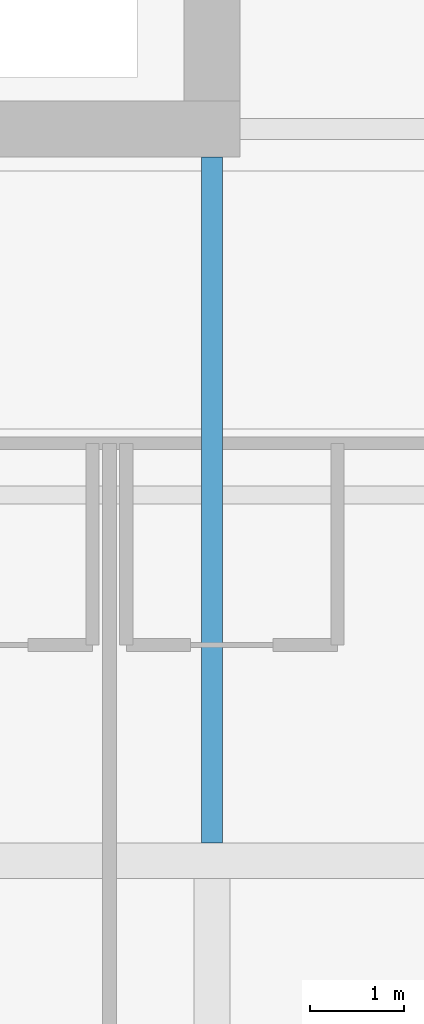
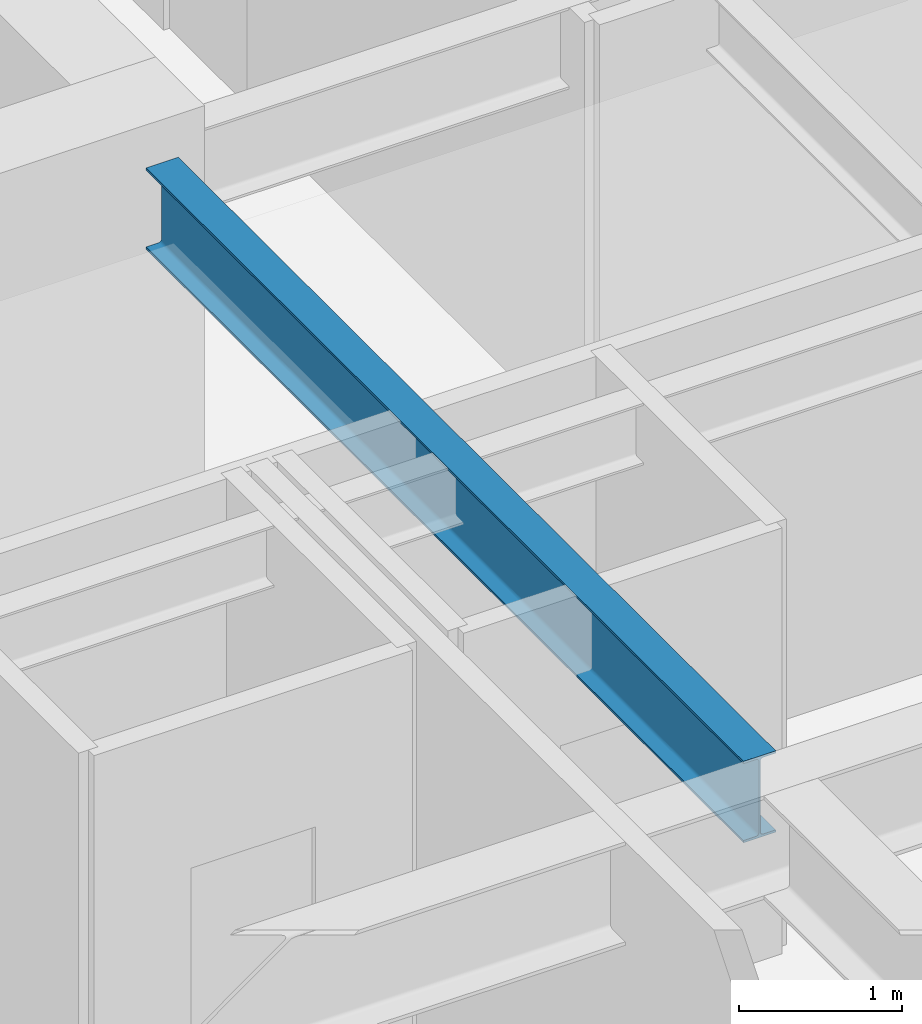
# One storey, part 12 of 37: 1 beam.
"""IFC4 building model written with IfcOpenShell, lengths in metres."""

import ifcopenshell
import ifcopenshell.guid

model = None  # the IFC model being written
_history = None  # IfcOwnerHistory: only IFC2X3 demands one
_inside = {}  # id of a spatial element -> (the spatial element, [elements in it])
_under = {}  # id of a project, library or spatial element -> (it, [spatial elements below it])
_declared = {}  # id of a project -> (the project, [libraries it declares])
_typed = {}  # id of a type object -> (the type object, [elements of that type])
_made_of = {}  # id of a material, layer set ... -> (it, [elements and type objects made of it])


def new_model(schema):
    """Start an empty IFC model of exactly this schema.

    Asked for "IFC4X3", IfcOpenShell would pick the latest addendum, in which some entities
    have other attributes; the version numbers below select the first issue.
    IFC2X3 requires an IfcOwnerHistory on every rooted entity: one is made here for all.
    """
    global model, _history
    if schema == "IFC4X3":
        model = ifcopenshell.file(schema_version=(4, 3, 0, 0))
    else:
        model = ifcopenshell.file(schema=schema)
    _inside.clear()
    _under.clear()
    _declared.clear()
    _typed.clear()
    _made_of.clear()
    _history = None
    if model.schema == "IFC2X3":
        org = make("IfcOrganization", Name="unknown")
        user = make(
            "IfcPersonAndOrganization",
            ThePerson=make("IfcPerson", FamilyName="unknown"),
            TheOrganization=org,
        )
        app = make(
            "IfcApplication",
            ApplicationDeveloper=org,
            Version="unknown",
            ApplicationFullName="unknown",
            ApplicationIdentifier="unknown",
        )
        _history = make(
            "IfcOwnerHistory",
            OwningUser=user,
            OwningApplication=app,
            ChangeAction="ADDED",
            CreationDate=0,
        )
    return model


def make(cls, **values):
    """One entity of the class cls with the attributes given. An attribute that is None is left unset."""
    return model.create_entity(
        cls, **{name: value for name, value in values.items() if value is not None}
    )


def rooted(cls, **values):
    """An entity with a GlobalId (a new one), such as an element, a storey or a relation."""
    return make(cls, GlobalId=ifcopenshell.guid.new(), OwnerHistory=_history, **values)


def si_unit(unit_type, name, prefix=None):
    """IfcSIUnit, for example si_unit("LENGTHUNIT", "METRE", prefix="MILLI")."""
    return make("IfcSIUnit", UnitType=unit_type, Prefix=prefix, Name=name)


def assignment(units):
    """IfcUnitAssignment: the units of a project."""
    return None if units is None else make("IfcUnitAssignment", Units=units)


def point(xyz):
    """IfcCartesianPoint."""
    return None if xyz is None else make("IfcCartesianPoint", Coordinates=xyz)


def direction(xyz):
    """IfcDirection."""
    return None if xyz is None else make("IfcDirection", DirectionRatios=xyz)


def frame(location, z_axis=None, x_axis=None):
    """IfcAxis2Placement3D, a coordinate frame: its origin and axes. An axis left out is left unset."""
    return make(
        "IfcAxis2Placement3D",
        Location=point(location),
        Axis=direction(z_axis),
        RefDirection=direction(x_axis),
    )


def frame_2d(location, x_axis=None):
    """IfcAxis2Placement2D, a coordinate frame in the plane: its origin and x axis."""
    return make(
        "IfcAxis2Placement2D", Location=point(location), RefDirection=direction(x_axis)
    )


def origin():
    """The frame at (0, 0, 0) with its axes left unset."""
    return frame((0.0, 0.0, 0.0))


def origin_2d():
    """The frame at (0, 0) in the plane with its x axis left unset."""
    return frame_2d((0.0, 0.0))


def place(relative_to, where):
    """IfcLocalPlacement: puts the frame where relative to a parent placement (None: the world)."""
    return make(
        "IfcLocalPlacement", PlacementRelTo=relative_to, RelativePlacement=where
    )


def context(
    kind, dimensions, precision=None, world=None, true_north=None, identifier=None
):
    """IfcGeometricRepresentationContext, for example the 3D "Model" context."""
    return make(
        "IfcGeometricRepresentationContext",
        ContextIdentifier=identifier,
        ContextType=kind,
        CoordinateSpaceDimension=dimensions,
        Precision=precision,
        WorldCoordinateSystem=world,
        TrueNorth=true_north,
    )


def subcontext(parent, identifier, kind, view, scale=None):
    """IfcGeometricRepresentationSubContext, for example "Body" below "Model"."""
    return make(
        "IfcGeometricRepresentationSubContext",
        ContextIdentifier=identifier,
        ContextType=kind,
        ParentContext=parent,
        TargetScale=scale,
        TargetView=view,
    )


def project(units=None, contexts=None):
    """IfcProject with its units and contexts."""
    return rooted(
        "IfcProject",
        Name="project",
        RepresentationContexts=contexts,
        UnitsInContext=assignment(units),
    )


def spatial(cls, under=None, at=None, **own):
    """A site, building, storey or space (cls), placed at a placement, below another one or the project."""
    s = rooted(cls, ObjectPlacement=at, **own)
    if under is not None:
        _under.setdefault(under.id(), (under, []))[1].append(s)
    return s


def profile(cls, at=None, kind="AREA", **sizes):
    """A parametric profile (cls). Its sizes go by their IFC names, for example OverallWidth=200.0."""
    return make(cls, ProfileType=kind, Position=at, **sizes)


def i_section(**sizes):
    """IfcIShapeProfileDef."""
    return profile("IfcIShapeProfileDef", **sizes)


def extrude(swept, where, along, depth):
    """IfcExtrudedAreaSolid: the profile swept, set in the frame where, extruded along a direction by depth."""
    return make(
        "IfcExtrudedAreaSolid",
        SweptArea=swept,
        Position=where,
        ExtrudedDirection=direction(along),
        Depth=depth,
    )


def shape(context_of_items, identifier, shape_type, items):
    """IfcShapeRepresentation: the items that make up one representation, for example the "Body"."""
    return make(
        "IfcShapeRepresentation",
        ContextOfItems=context_of_items,
        RepresentationIdentifier=identifier,
        RepresentationType=shape_type,
        Items=items,
    )


def material(Name=None, Category=None):
    """IfcMaterial."""
    return make("IfcMaterial", Name=Name, Category=Category)


def material_profile(
    of_material, cross_section, Name=None, Category=None, Priority=None
):
    """IfcMaterialProfile: a cross section and its material."""
    return make(
        "IfcMaterialProfile",
        Name=Name,
        Material=of_material,
        Profile=cross_section,
        Priority=Priority,
        Category=Category,
    )


def profile_set(profiles, Name=None, composite=None):
    """IfcMaterialProfileSet."""
    return make(
        "IfcMaterialProfileSet",
        Name=Name,
        MaterialProfiles=profiles,
        CompositeProfile=composite,
    )


def made_of(thing, what):
    """Note that an element or type object is made of a material, layer set ...; save() writes the relation."""
    if what is not None:
        _made_of.setdefault(what.id(), (what, []))[1].append(thing)
    return thing


def type_object(cls, material=None, **own):
    """A type object (cls), such as IfcWallType, which elements share."""
    return made_of(rooted(cls, **own), material)


def element(
    cls,
    number,
    at=None,
    inside=None,
    cuts=None,
    type_object=None,
    material=None,
    context=None,
    identifier="Body",
    shape_type=None,
    held_by="IfcProductDefinitionShape",
    body=None,
    shapes=None,
    **own,
):
    """One element of the class cls, such as IfcWall. Its Tag is "e" and its number.

    at: its placement. inside: the storey or other place that contains it. cuts: it is an
    opening in that element (IfcRelVoidsElement). A single representation is given by context,
    identifier, shape_type and body (its items); several are given by shapes. held_by: the class
    of the entity that holds the representations. save() writes the other relations.
    """
    e = rooted(cls, Tag="e%d" % number, ObjectPlacement=at, **own)
    if body is not None:
        shapes = [shape(context, identifier, shape_type, body)]
    if shapes is not None:
        e.Representation = make(held_by, Representations=shapes)
    if inside is not None:
        _inside.setdefault(inside.id(), (inside, []))[1].append(e)
    if cuts is not None:
        rooted(
            "IfcRelVoidsElement", RelatingBuildingElement=cuts, RelatedOpeningElement=e
        )
    if type_object is not None:
        _typed.setdefault(type_object.id(), (type_object, []))[1].append(e)
    return made_of(e, material)


def aggregate(whole, parts):
    """IfcRelAggregates: a whole, such as a stair, and the parts it consists of."""
    return rooted("IfcRelAggregates", RelatingObject=whole, RelatedObjects=parts)


def save(model, path):
    """Write the relations noted so far, then the file.

    IfcRelAggregates (storeys below a building ...), IfcRelContainedInSpatialStructure (elements
    in a storey), IfcRelDefinesByType, IfcRelAssociatesMaterial and IfcRelDeclares: one each for
    every whole, place, type object, material and project.
    """
    for whole, parts in _under.values():
        aggregate(whole, parts)
    for where, things in _inside.values():
        rooted(
            "IfcRelContainedInSpatialStructure",
            RelatedElements=things,
            RelatingStructure=where,
        )
    for kind, things in _typed.values():
        rooted("IfcRelDefinesByType", RelatedObjects=things, RelatingType=kind)
    for what, things in _made_of.values():
        rooted("IfcRelAssociatesMaterial", RelatedObjects=things, RelatingMaterial=what)
    for by, libraries in _declared.values():
        rooted("IfcRelDeclares", RelatingContext=by, RelatedDefinitions=libraries)
    model.write(path)


model = new_model("IFC4")

# Units and contexts
model_context = context("Model", 3, precision=1e-05, world=origin(), true_north=direction((0.0, 1.0)))
body_context = subcontext(model_context, "Body", "Model", "MODEL_VIEW")
ifc_project = project(units=[si_unit("LENGTHUNIT", "METRE"), si_unit("AREAUNIT", "SQUARE_METRE"), si_unit("VOLUMEUNIT", "CUBIC_METRE"), si_unit("PLANEANGLEUNIT", "RADIAN"), si_unit("MASSUNIT", "GRAM", prefix="KILO")], contexts=[model_context])

# Site, building, storey
site_placement = place(None, origin())
site = spatial("IfcSite", under=ifc_project, at=site_placement, CompositionType="ELEMENT")
building_placement = place(site_placement, origin())
building = spatial("IfcBuilding", under=site, at=building_placement, Name="Drelvath Grand Hotel", CompositionType="ELEMENT")
storey_placement = place(building_placement, frame((0.0, 0.0, 78.699951171875)))
storey = spatial("IfcBuildingStorey", under=building, at=storey_placement, Name="L19", CompositionType="ELEMENT", Elevation=78.699951171875)

# Beam
ifc_material = material(Name="Steel ASTM A992 Gr 50", Category="steel")
ifc_material_profile = material_profile(ifc_material, i_section(OverallWidth=0.228271484375, OverallDepth=0.607666015625, WebThickness=0.01123046875, FlangeThickness=0.017333984375, FilletRadius=0.02001953125, at=origin_2d()), Name="W24X76")
ifc_profile_set = profile_set([ifc_material_profile], Name="Steel ASTM A992 Gr 50")
beam_type = type_object("IfcBeamType", Name="Primary Floor Girder W24X76", PredefinedType="BEAM", material=ifc_profile_set)
beam_placement = place(storey_placement, frame((8.39990234375, 10.990234375, 2.876220703125), z_axis=(0.0, 1.0, 0.0), x_axis=(-1.0, 0.0, 0.0)))
element("IfcBeam", 1, at=beam_placement, inside=storey, type_object=beam_type, Name="L19 South Core Tie 6", PredefinedType="BEAM", context=body_context, shape_type="SweptSolid", body=[
    extrude(i_section(OverallWidth=0.228271484375, OverallDepth=0.607666015625, WebThickness=0.01123046875, FlangeThickness=0.017333984375, FilletRadius=0.02001953125, at=origin_2d()), origin(), (0.0, 0.0, 1.0), 7.309814453125),
])

save(model, "model.ifc")
